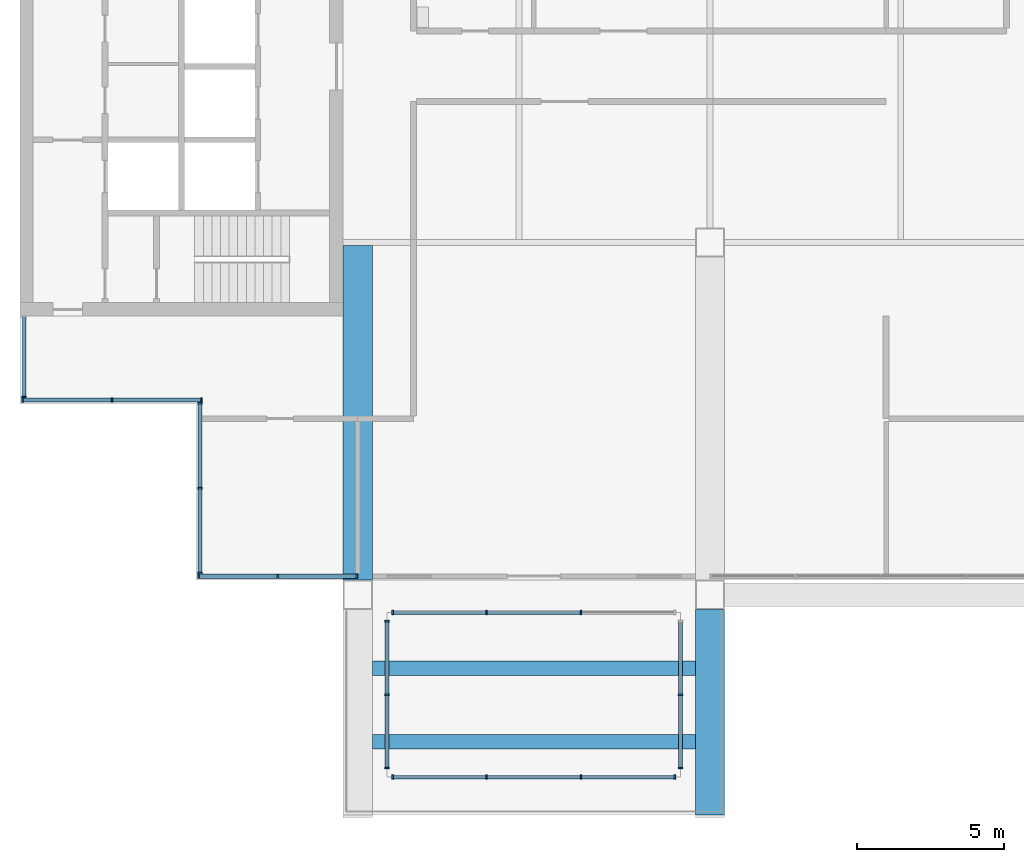
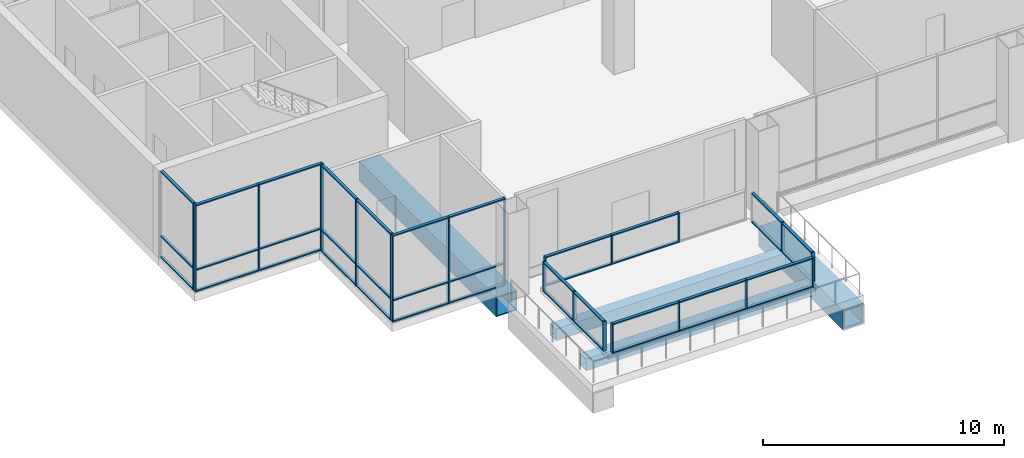
# One storey, part 2 of 15: 61 members, 4 beams, 8 elements without a shape of their own.
"""IFC4 building model written with IfcOpenShell, lengths in metres."""

from ifc_helpers import new_model, si_unit, direction, frame, origin, origin_2d, place, context, subcontext, project, spatial, rectangle, hollow_rectangle, extrude, material, material_profile, profile_set, type_object, element, aggregate, save


model = new_model("IFC4")

# Units and contexts
model_context = context("Model", 3, precision=1e-05, world=origin(), true_north=direction((0.0, 1.0)))
body_context = subcontext(model_context, "Body", "Model", "MODEL_VIEW")
ifc_project = project(units=[si_unit("LENGTHUNIT", "METRE"), si_unit("AREAUNIT", "SQUARE_METRE"), si_unit("VOLUMEUNIT", "CUBIC_METRE"), si_unit("PLANEANGLEUNIT", "RADIAN"), si_unit("MASSUNIT", "GRAM", prefix="KILO")], contexts=[model_context])

# Site, building, storey
site_placement = place(None, origin())
site = spatial("IfcSite", under=ifc_project, at=site_placement, CompositionType="ELEMENT")
building_placement = place(site_placement, origin())
building = spatial("IfcBuilding", under=site, at=building_placement, Name="Kitamizu Gate Tower and Museum", CompositionType="ELEMENT")
storey_placement = place(building_placement, frame((0.0, 0.0, 273.14990234375)))
storey = spatial("IfcBuildingStorey", under=building, at=storey_placement, Name="L74", CompositionType="ELEMENT", Elevation=273.14990234375)

# Curtain wall, members
ifc_material_1 = material(Name="Bronze anodised aluminium frame, tinted triple glazing", Category="aluminium")
curtain_wall_type_1 = type_object("IfcCurtainWallType", Name="CURTAIN WALL TYPE C SKY AMENITY", PredefinedType="NOTDEFINED", material=ifc_material_1)
curtain_wall_1_placement = place(storey_placement, origin())
curtain_wall_1 = element("IfcCurtainWall", 1, at=curtain_wall_1_placement, inside=storey, type_object=curtain_wall_type_1, Name="Curtain wall CW-C south L74", PredefinedType="NOTDEFINED")
ifc_material_2 = material(Name="Bronze anodised aluminium", Category="aluminium")
ifc_material_profile_1 = material_profile(ifc_material_2, rectangle(XDim=0.06005859375, YDim=0.14990234375, at=origin_2d()), Name="AL 60X150")
ifc_profile_set_1 = profile_set([ifc_material_profile_1], Name="Bronze anodised aluminium")
member_type_1 = type_object("IfcMemberType", Name="MULLION 60 X 150 TYPE C", PredefinedType="MULLION", material=ifc_profile_set_1)
member_1_placement = place(storey_placement, frame((18.590087890625, 12.635009765625, 0.0), z_axis=(0.0, 0.0, 1.0), x_axis=(1.0, 0.0, 0.0)))
member_1 = element("IfcMember", 2, at=member_1_placement, type_object=member_type_1, Name="CW-C mullion 1", PredefinedType="MULLION", context=body_context, shape_type="SweptSolid", body=[
    extrude(rectangle(XDim=0.06005859375, YDim=0.14990234375, at=origin_2d()), origin(), (0.0, 0.0, 1.0), 4.400146484375),
])
member_2_placement = place(storey_placement, frame((21.280029296875, 12.635009765625, 0.0), z_axis=(0.0, 0.0, 1.0), x_axis=(1.0, 0.0, 0.0)))
member_2 = element("IfcMember", 3, at=member_2_placement, type_object=member_type_1, Name="CW-C mullion 2", PredefinedType="MULLION", context=body_context, shape_type="SweptSolid", body=[
    extrude(rectangle(XDim=0.06005859375, YDim=0.14990234375, at=origin_2d()), origin(), (0.0, 0.0, 1.0), 4.400146484375),
])
member_3_placement = place(storey_placement, frame((23.969970703125, 12.635009765625, 0.0), z_axis=(0.0, 0.0, 1.0), x_axis=(1.0, 0.0, 0.0)))
member_3 = element("IfcMember", 4, at=member_3_placement, type_object=member_type_1, Name="CW-C mullion 3", PredefinedType="MULLION", context=body_context, shape_type="SweptSolid", body=[
    extrude(rectangle(XDim=0.06005859375, YDim=0.14990234375, at=origin_2d()), origin(), (0.0, 0.0, 1.0), 4.400146484375),
])

# Curtain wall, member
curtain_wall_2_placement = place(storey_placement, origin())
curtain_wall_2 = element("IfcCurtainWall", 5, at=curtain_wall_2_placement, inside=storey, type_object=curtain_wall_type_1, Name="Curtain wall CW-C west L74", PredefinedType="NOTDEFINED")
member_4_placement = place(storey_placement, frame((12.635009765625, 18.739990234375, 0.0), z_axis=(0.0, 0.0, 1.0), x_axis=(0.0, 1.0, 0.0)))
member_4 = element("IfcMember", 6, at=member_4_placement, type_object=member_type_1, Name="CW-C mullion 1", PredefinedType="MULLION", context=body_context, shape_type="SweptSolid", body=[
    extrude(rectangle(XDim=0.06005859375, YDim=0.14990234375, at=origin_2d()), origin(), (0.0, 0.0, 1.0), 4.400146484375),
])

# Curtain wall, members
curtain_wall_3_placement = place(storey_placement, origin())
curtain_wall_3 = element("IfcCurtainWall", 7, at=curtain_wall_3_placement, inside=storey, type_object=curtain_wall_type_1, Name="Curtain wall CW-C south L74", PredefinedType="NOTDEFINED")
member_5_placement = place(storey_placement, frame((12.590087890625, 18.635009765625, 0.0), z_axis=(0.0, 0.0, 1.0), x_axis=(1.0, 0.0, 0.0)))
member_5 = element("IfcMember", 8, at=member_5_placement, type_object=member_type_1, Name="CW-C mullion 1", PredefinedType="MULLION", context=body_context, shape_type="SweptSolid", body=[
    extrude(rectangle(XDim=0.06005859375, YDim=0.14990234375, at=origin_2d()), origin(), (0.0, 0.0, 1.0), 4.400146484375),
])
member_6_placement = place(storey_placement, frame((15.635009765625, 18.635009765625, 0.0), z_axis=(0.0, 0.0, 1.0), x_axis=(1.0, 0.0, 0.0)))
member_6 = element("IfcMember", 9, at=member_6_placement, type_object=member_type_1, Name="CW-C mullion 2", PredefinedType="MULLION", context=body_context, shape_type="SweptSolid", body=[
    extrude(rectangle(XDim=0.06005859375, YDim=0.14990234375, at=origin_2d()), origin(), (0.0, 0.0, 1.0), 4.400146484375),
])
member_7_placement = place(storey_placement, frame((18.679931640625, 18.635009765625, 0.0), z_axis=(0.0, 0.0, 1.0), x_axis=(1.0, 0.0, 0.0)))
member_7 = element("IfcMember", 10, at=member_7_placement, type_object=member_type_1, Name="CW-C mullion 3", PredefinedType="MULLION", context=body_context, shape_type="SweptSolid", body=[
    extrude(rectangle(XDim=0.06005859375, YDim=0.14990234375, at=origin_2d()), origin(), (0.0, 0.0, 1.0), 4.400146484375),
])

curtain_wall_4_placement = place(storey_placement, origin())
curtain_wall_4 = element("IfcCurtainWall", 11, at=curtain_wall_4_placement, inside=storey, type_object=curtain_wall_type_1, Name="Curtain wall CW-C west L74", PredefinedType="NOTDEFINED")
member_8_placement = place(storey_placement, frame((18.635009765625, 12.739990234375, 0.0), z_axis=(0.0, 0.0, 1.0), x_axis=(0.0, 1.0, 0.0)))
member_8 = element("IfcMember", 12, at=member_8_placement, type_object=member_type_1, Name="CW-C mullion 1", PredefinedType="MULLION", context=body_context, shape_type="SweptSolid", body=[
    extrude(rectangle(XDim=0.06005859375, YDim=0.14990234375, at=origin_2d()), origin(), (0.0, 0.0, 1.0), 4.400146484375),
])
member_9_placement = place(storey_placement, frame((18.635009765625, 15.635009765625, 0.0), z_axis=(0.0, 0.0, 1.0), x_axis=(0.0, 1.0, 0.0)))
member_9 = element("IfcMember", 13, at=member_9_placement, type_object=member_type_1, Name="CW-C mullion 2", PredefinedType="MULLION", context=body_context, shape_type="SweptSolid", body=[
    extrude(rectangle(XDim=0.06005859375, YDim=0.14990234375, at=origin_2d()), origin(), (0.0, 0.0, 1.0), 4.400146484375),
])
member_10_placement = place(storey_placement, frame((18.635009765625, 18.530029296875, 0.0), z_axis=(0.0, 0.0, 1.0), x_axis=(0.0, 1.0, 0.0)))
member_10 = element("IfcMember", 14, at=member_10_placement, type_object=member_type_1, Name="CW-C mullion 3", PredefinedType="MULLION", context=body_context, shape_type="SweptSolid", body=[
    extrude(rectangle(XDim=0.06005859375, YDim=0.14990234375, at=origin_2d()), origin(), (0.0, 0.0, 1.0), 4.400146484375),
])

curtain_wall_5_placement = place(storey_placement, origin())
curtain_wall_5 = element("IfcCurtainWall", 15, at=curtain_wall_5_placement, inside=storey, type_object=curtain_wall_type_1, Name="Curtain wall CW-C pool side S L74", PredefinedType="NOTDEFINED")
member_11_placement = place(storey_placement, frame((25.199951171875, 5.800048828125, 0.25), z_axis=(0.0, 0.0, 1.0), x_axis=(1.0, 0.0, 0.0)))
member_11 = element("IfcMember", 16, at=member_11_placement, type_object=member_type_1, Name="CW-C mullion 1", PredefinedType="MULLION", context=body_context, shape_type="SweptSolid", body=[
    extrude(rectangle(XDim=0.06005859375, YDim=0.14990234375, at=origin_2d()), origin(), (0.0, 0.0, 1.0), 1.5),
])
member_12_placement = place(storey_placement, frame((28.389892578125, 5.800048828125, 0.25), z_axis=(0.0, 0.0, 1.0), x_axis=(1.0, 0.0, 0.0)))
member_12 = element("IfcMember", 17, at=member_12_placement, type_object=member_type_1, Name="CW-C mullion 2", PredefinedType="MULLION", context=body_context, shape_type="SweptSolid", body=[
    extrude(rectangle(XDim=0.06005859375, YDim=0.14990234375, at=origin_2d()), origin(), (0.0, 0.0, 1.0), 1.5),
])
member_13_placement = place(storey_placement, frame((31.610107421875, 5.800048828125, 0.25), z_axis=(0.0, 0.0, 1.0), x_axis=(1.0, 0.0, 0.0)))
member_13 = element("IfcMember", 18, at=member_13_placement, type_object=member_type_1, Name="CW-C mullion 3", PredefinedType="MULLION", context=body_context, shape_type="SweptSolid", body=[
    extrude(rectangle(XDim=0.06005859375, YDim=0.14990234375, at=origin_2d()), origin(), (0.0, 0.0, 1.0), 1.5),
])
member_14_placement = place(storey_placement, frame((34.800048828125, 5.800048828125, 0.25), z_axis=(0.0, 0.0, 1.0), x_axis=(1.0, 0.0, 0.0)))
member_14 = element("IfcMember", 19, at=member_14_placement, type_object=member_type_1, Name="CW-C mullion 4", PredefinedType="MULLION", context=body_context, shape_type="SweptSolid", body=[
    extrude(rectangle(XDim=0.06005859375, YDim=0.14990234375, at=origin_2d()), origin(), (0.0, 0.0, 1.0), 1.5),
])

ifc_material_3 = material(Name="Bronze anodised aluminium frame, insulated panels", Category="aluminium")
curtain_wall_type_2 = type_object("IfcCurtainWallType", Name="CURTAIN WALL TYPE C SKY AMENITY INSULATED", PredefinedType="NOTDEFINED", material=ifc_material_3)
curtain_wall_6_placement = place(storey_placement, origin())
curtain_wall_6 = element("IfcCurtainWall", 20, at=curtain_wall_6_placement, inside=storey, type_object=curtain_wall_type_2, Name="Curtain wall CW-CI pool side N L74", PredefinedType="NOTDEFINED")
member_15_placement = place(storey_placement, frame((25.199951171875, 11.39990234375, 0.25), z_axis=(0.0, 0.0, 1.0), x_axis=(1.0, 0.0, 0.0)))
member_15 = element("IfcMember", 21, at=member_15_placement, type_object=member_type_1, Name="CW-CI mullion 1", PredefinedType="MULLION", context=body_context, shape_type="SweptSolid", body=[
    extrude(rectangle(XDim=0.06005859375, YDim=0.14990234375, at=origin_2d()), origin(), (0.0, 0.0, 1.0), 1.5),
])
member_16_placement = place(storey_placement, frame((28.389892578125, 11.39990234375, 0.25), z_axis=(0.0, 0.0, 1.0), x_axis=(1.0, 0.0, 0.0)))
member_16 = element("IfcMember", 22, at=member_16_placement, type_object=member_type_1, Name="CW-CI mullion 2", PredefinedType="MULLION", context=body_context, shape_type="SweptSolid", body=[
    extrude(rectangle(XDim=0.06005859375, YDim=0.14990234375, at=origin_2d()), origin(), (0.0, 0.0, 1.0), 1.5),
])
member_17_placement = place(storey_placement, frame((31.610107421875, 11.39990234375, 0.25), z_axis=(0.0, 0.0, 1.0), x_axis=(1.0, 0.0, 0.0)))
member_17 = element("IfcMember", 23, at=member_17_placement, type_object=member_type_1, Name="CW-CI mullion 3", PredefinedType="MULLION", context=body_context, shape_type="SweptSolid", body=[
    extrude(rectangle(XDim=0.06005859375, YDim=0.14990234375, at=origin_2d()), origin(), (0.0, 0.0, 1.0), 1.5),
])

curtain_wall_7_placement = place(storey_placement, origin())
curtain_wall_7 = element("IfcCurtainWall", 24, at=curtain_wall_7_placement, inside=storey, type_object=curtain_wall_type_1, Name="Curtain wall CW-C pool side W L74", PredefinedType="NOTDEFINED")
member_18_placement = place(storey_placement, frame((25.0, 6.10009765625, 0.25), z_axis=(0.0, 0.0, 1.0), x_axis=(0.0, 1.0, 0.0)))
member_18 = element("IfcMember", 25, at=member_18_placement, type_object=member_type_1, Name="CW-C mullion 1", PredefinedType="MULLION", context=body_context, shape_type="SweptSolid", body=[
    extrude(rectangle(XDim=0.06005859375, YDim=0.14990234375, at=origin_2d()), origin(), (0.0, 0.0, 1.0), 1.5),
])
member_19_placement = place(storey_placement, frame((25.0, 8.60009765625, 0.25), z_axis=(0.0, 0.0, 1.0), x_axis=(0.0, 1.0, 0.0)))
member_19 = element("IfcMember", 26, at=member_19_placement, type_object=member_type_1, Name="CW-C mullion 2", PredefinedType="MULLION", context=body_context, shape_type="SweptSolid", body=[
    extrude(rectangle(XDim=0.06005859375, YDim=0.14990234375, at=origin_2d()), origin(), (0.0, 0.0, 1.0), 1.5),
])
member_20_placement = place(storey_placement, frame((25.0, 11.10009765625, 0.25), z_axis=(0.0, 0.0, 1.0), x_axis=(0.0, 1.0, 0.0)))
member_20 = element("IfcMember", 27, at=member_20_placement, type_object=member_type_1, Name="CW-C mullion 3", PredefinedType="MULLION", context=body_context, shape_type="SweptSolid", body=[
    extrude(rectangle(XDim=0.06005859375, YDim=0.14990234375, at=origin_2d()), origin(), (0.0, 0.0, 1.0), 1.5),
])

curtain_wall_8_placement = place(storey_placement, origin())
curtain_wall_8 = element("IfcCurtainWall", 28, at=curtain_wall_8_placement, inside=storey, type_object=curtain_wall_type_1, Name="Curtain wall CW-C pool side E L74", PredefinedType="NOTDEFINED")
member_21_placement = place(storey_placement, frame((35.0, 6.10009765625, 0.25), z_axis=(0.0, 0.0, 1.0), x_axis=(0.0, 1.0, 0.0)))
member_21 = element("IfcMember", 29, at=member_21_placement, type_object=member_type_1, Name="CW-C mullion 1", PredefinedType="MULLION", context=body_context, shape_type="SweptSolid", body=[
    extrude(rectangle(XDim=0.06005859375, YDim=0.14990234375, at=origin_2d()), origin(), (0.0, 0.0, 1.0), 1.5),
])
member_22_placement = place(storey_placement, frame((35.0, 8.60009765625, 0.25), z_axis=(0.0, 0.0, 1.0), x_axis=(0.0, 1.0, 0.0)))
member_22 = element("IfcMember", 30, at=member_22_placement, type_object=member_type_1, Name="CW-C mullion 2", PredefinedType="MULLION", context=body_context, shape_type="SweptSolid", body=[
    extrude(rectangle(XDim=0.06005859375, YDim=0.14990234375, at=origin_2d()), origin(), (0.0, 0.0, 1.0), 1.5),
])

# Beams
ifc_material_4 = material(Name="Steel SM490A bronze coated", Category="steel")
ifc_material_profile_2 = material_profile(ifc_material_4, hollow_rectangle(XDim=1.0, YDim=1.0, WallThickness=0.080078125, at=origin_2d()), Name="BOX 1000x1000x80")
ifc_profile_set_2 = profile_set([ifc_material_profile_2], Name="Steel SM490A bronze coated")
beam_type_1 = type_object("IfcBeamType", Name="Pool cantilever girder PG3 BOX 1000x1000x80", PredefinedType="BEAM", material=ifc_profile_set_2)
beam_1_placement = place(storey_placement, frame((36.0, 4.5, -0.89990234375), z_axis=(0.0, 1.0, 0.0), x_axis=(-1.0, 0.0, 0.0)))
element("IfcBeam", 31, at=beam_1_placement, inside=storey, type_object=beam_type_1, Name="Pool girder E tip L74", PredefinedType="BEAM", context=body_context, shape_type="SweptSolid", body=[
    extrude(hollow_rectangle(XDim=1.0, YDim=1.0, WallThickness=0.080078125, at=origin_2d()), origin(), (0.0, 0.0, 1.0), 7.0),
])
ifc_material_5 = material(Name="Steel SM490A bronze coated", Category="steel")
ifc_material_profile_3 = material_profile(ifc_material_5, hollow_rectangle(XDim=0.5, YDim=0.60009765625, WallThickness=0.030029296875, at=origin_2d()), Name="BOX 500x600x30")
ifc_profile_set_3 = profile_set([ifc_material_profile_3], Name="Steel SM490A bronze coated")
beam_type_2 = type_object("IfcBeamType", Name="Pool cross beam PG2 BOX 500x600x30", PredefinedType="BEAM", material=ifc_profile_set_3)
for number, where, z_axis, x_axis, name in (
    (32, (24.5, 7.0, -0.699951171875), (1.0, 0.0, 0.0), (0.0, 1.0, 0.0), "Pool cross beam 1 L74"),
    (33, (24.5, 9.5, -0.699951171875), (1.0, 0.0, 0.0), (0.0, 1.0, 0.0), "Pool cross beam 2 L74"),
):
    element("IfcBeam", number, at=place(storey_placement, frame(where, z_axis=z_axis, x_axis=x_axis)), inside=storey, type_object=beam_type_2, Name=name, PredefinedType="BEAM", context=body_context, shape_type="SweptSolid", body=[
        extrude(hollow_rectangle(XDim=0.5, YDim=0.60009765625, WallThickness=0.030029296875, at=origin_2d()), origin(), (0.0, 0.0, 1.0), 11.0),
    ])
ifc_material_6 = material(Name="Steel SM490A bronze coated", Category="steel")
ifc_material_profile_4 = material_profile(ifc_material_6, hollow_rectangle(XDim=1.0, YDim=1.0, WallThickness=0.050048828125, at=origin_2d()), Name="BOX 1000x1000x50")
ifc_profile_set_4 = profile_set([ifc_material_profile_4], Name="Steel SM490A bronze coated")
beam_type_3 = type_object("IfcBeamType", Name="Pool girder PG1 BOX 1000x1000x50", PredefinedType="BEAM", material=ifc_profile_set_4)
beam_2_placement = place(storey_placement, frame((24.0, 12.5, -0.89990234375), z_axis=(0.0, 1.0, 0.0), x_axis=(-1.0, 0.0, 0.0)))
element("IfcBeam", 34, at=beam_2_placement, inside=storey, type_object=beam_type_3, Name="Pool girder W back-span L74", PredefinedType="BEAM", context=body_context, shape_type="SweptSolid", body=[
    extrude(hollow_rectangle(XDim=1.0, YDim=1.0, WallThickness=0.050048828125, at=origin_2d()), origin(), (0.0, 0.0, 1.0), 11.39990234375),
])

# Member
ifc_material_7 = material(Name="Bronze anodised aluminium", Category="aluminium")
ifc_material_profile_5 = material_profile(ifc_material_7, rectangle(XDim=0.139892578125, YDim=0.06005859375, at=origin_2d()), Name="AL 60X140")
ifc_profile_set_5 = profile_set([ifc_material_profile_5], Name="Bronze anodised aluminium")
member_type_2 = type_object("IfcMemberType", Name="TRANSOM 60 X 140 TYPE C", PredefinedType="USERDEFINED", material=ifc_profile_set_5)
member_23_placement = place(storey_placement, frame((18.6201171875, 12.635009765625, 0.030029296875), z_axis=(1.0, 0.0, 0.0), x_axis=(0.0, 1.0, 0.0)))
member_23 = element("IfcMember", 35, at=member_23_placement, type_object=member_type_2, Name="CW-C transom 1.1", ObjectType="TRANSOM", PredefinedType="USERDEFINED", context=body_context, shape_type="SweptSolid", body=[
    extrude(rectangle(XDim=0.139892578125, YDim=0.06005859375, at=origin_2d()), origin(), (0.0, 0.0, 1.0), 2.6298828125),
])

member_24_placement = place(storey_placement, frame((18.6201171875, 12.635009765625, 1.10009765625), z_axis=(1.0, 0.0, 0.0), x_axis=(0.0, 1.0, 0.0)))
member_24 = element("IfcMember", 36, at=member_24_placement, type_object=member_type_2, Name="CW-C transom 1.2", ObjectType="TRANSOM", PredefinedType="USERDEFINED", context=body_context, shape_type="SweptSolid", body=[
    extrude(rectangle(XDim=0.139892578125, YDim=0.06005859375, at=origin_2d()), origin(), (0.0, 0.0, 1.0), 2.6298828125),
])

member_25_placement = place(storey_placement, frame((18.6201171875, 12.635009765625, 4.3701171875), z_axis=(1.0, 0.0, 0.0), x_axis=(0.0, 1.0, 0.0)))
member_25 = element("IfcMember", 37, at=member_25_placement, type_object=member_type_2, Name="CW-C transom 1.3", ObjectType="TRANSOM", PredefinedType="USERDEFINED", context=body_context, shape_type="SweptSolid", body=[
    extrude(rectangle(XDim=0.139892578125, YDim=0.06005859375, at=origin_2d()), origin(), (0.0, 0.0, 1.0), 2.6298828125),
])

member_26_placement = place(storey_placement, frame((21.31005859375, 12.635009765625, 0.030029296875), z_axis=(1.0, 0.0, 0.0), x_axis=(0.0, 1.0, 0.0)))
member_26 = element("IfcMember", 38, at=member_26_placement, type_object=member_type_2, Name="CW-C transom 2.1", ObjectType="TRANSOM", PredefinedType="USERDEFINED", context=body_context, shape_type="SweptSolid", body=[
    extrude(rectangle(XDim=0.139892578125, YDim=0.06005859375, at=origin_2d()), origin(), (0.0, 0.0, 1.0), 2.6298828125),
])

member_27_placement = place(storey_placement, frame((21.31005859375, 12.635009765625, 1.10009765625), z_axis=(1.0, 0.0, 0.0), x_axis=(0.0, 1.0, 0.0)))
member_27 = element("IfcMember", 39, at=member_27_placement, type_object=member_type_2, Name="CW-C transom 2.2", ObjectType="TRANSOM", PredefinedType="USERDEFINED", context=body_context, shape_type="SweptSolid", body=[
    extrude(rectangle(XDim=0.139892578125, YDim=0.06005859375, at=origin_2d()), origin(), (0.0, 0.0, 1.0), 2.6298828125),
])

member_28_placement = place(storey_placement, frame((21.31005859375, 12.635009765625, 4.3701171875), z_axis=(1.0, 0.0, 0.0), x_axis=(0.0, 1.0, 0.0)))
member_28 = element("IfcMember", 40, at=member_28_placement, type_object=member_type_2, Name="CW-C transom 2.3", ObjectType="TRANSOM", PredefinedType="USERDEFINED", context=body_context, shape_type="SweptSolid", body=[
    extrude(rectangle(XDim=0.139892578125, YDim=0.06005859375, at=origin_2d()), origin(), (0.0, 0.0, 1.0), 2.6298828125),
])

aggregate(curtain_wall_1, [member_1, member_2, member_3, member_23, member_24, member_25, member_26, member_27, member_28])

member_29_placement = place(storey_placement, frame((12.635009765625, 18.77001953125, 0.030029296875), z_axis=(0.0, 1.0, 0.0), x_axis=(-1.0, 0.0, 0.0)))
member_29 = element("IfcMember", 41, at=member_29_placement, type_object=member_type_2, Name="CW-C transom 1.1", ObjectType="TRANSOM", PredefinedType="USERDEFINED", context=body_context, shape_type="SweptSolid", body=[
    extrude(rectangle(XDim=0.139892578125, YDim=0.06005859375, at=origin_2d()), origin(), (0.0, 0.0, 1.0), 2.669921875),
])

member_30_placement = place(storey_placement, frame((12.635009765625, 18.77001953125, 1.10009765625), z_axis=(0.0, 1.0, 0.0), x_axis=(-1.0, 0.0, 0.0)))
member_30 = element("IfcMember", 42, at=member_30_placement, type_object=member_type_2, Name="CW-C transom 1.2", ObjectType="TRANSOM", PredefinedType="USERDEFINED", context=body_context, shape_type="SweptSolid", body=[
    extrude(rectangle(XDim=0.139892578125, YDim=0.06005859375, at=origin_2d()), origin(), (0.0, 0.0, 1.0), 2.669921875),
])

member_31_placement = place(storey_placement, frame((12.635009765625, 18.77001953125, 4.3701171875), z_axis=(0.0, 1.0, 0.0), x_axis=(-1.0, 0.0, 0.0)))
member_31 = element("IfcMember", 43, at=member_31_placement, type_object=member_type_2, Name="CW-C transom 1.3", ObjectType="TRANSOM", PredefinedType="USERDEFINED", context=body_context, shape_type="SweptSolid", body=[
    extrude(rectangle(XDim=0.139892578125, YDim=0.06005859375, at=origin_2d()), origin(), (0.0, 0.0, 1.0), 2.669921875),
])

aggregate(curtain_wall_2, [member_4, member_29, member_30, member_31])

member_32_placement = place(storey_placement, frame((12.6201171875, 18.635009765625, 0.030029296875), z_axis=(1.0, 0.0, 0.0), x_axis=(0.0, 1.0, 0.0)))
member_32 = element("IfcMember", 44, at=member_32_placement, type_object=member_type_2, Name="CW-C transom 1.1", ObjectType="TRANSOM", PredefinedType="USERDEFINED", context=body_context, shape_type="SweptSolid", body=[
    extrude(rectangle(XDim=0.139892578125, YDim=0.06005859375, at=origin_2d()), origin(), (0.0, 0.0, 1.0), 2.98486328125),
])

member_33_placement = place(storey_placement, frame((12.6201171875, 18.635009765625, 1.10009765625), z_axis=(1.0, 0.0, 0.0), x_axis=(0.0, 1.0, 0.0)))
member_33 = element("IfcMember", 45, at=member_33_placement, type_object=member_type_2, Name="CW-C transom 1.2", ObjectType="TRANSOM", PredefinedType="USERDEFINED", context=body_context, shape_type="SweptSolid", body=[
    extrude(rectangle(XDim=0.139892578125, YDim=0.06005859375, at=origin_2d()), origin(), (0.0, 0.0, 1.0), 2.98486328125),
])

member_34_placement = place(storey_placement, frame((12.6201171875, 18.635009765625, 4.3701171875), z_axis=(1.0, 0.0, 0.0), x_axis=(0.0, 1.0, 0.0)))
member_34 = element("IfcMember", 46, at=member_34_placement, type_object=member_type_2, Name="CW-C transom 1.3", ObjectType="TRANSOM", PredefinedType="USERDEFINED", context=body_context, shape_type="SweptSolid", body=[
    extrude(rectangle(XDim=0.139892578125, YDim=0.06005859375, at=origin_2d()), origin(), (0.0, 0.0, 1.0), 2.98486328125),
])

member_35_placement = place(storey_placement, frame((15.6650390625, 18.635009765625, 0.030029296875), z_axis=(1.0, 0.0, 0.0), x_axis=(0.0, 1.0, 0.0)))
member_35 = element("IfcMember", 47, at=member_35_placement, type_object=member_type_2, Name="CW-C transom 2.1", ObjectType="TRANSOM", PredefinedType="USERDEFINED", context=body_context, shape_type="SweptSolid", body=[
    extrude(rectangle(XDim=0.139892578125, YDim=0.06005859375, at=origin_2d()), origin(), (0.0, 0.0, 1.0), 2.98486328125),
])

member_36_placement = place(storey_placement, frame((15.6650390625, 18.635009765625, 1.10009765625), z_axis=(1.0, 0.0, 0.0), x_axis=(0.0, 1.0, 0.0)))
member_36 = element("IfcMember", 48, at=member_36_placement, type_object=member_type_2, Name="CW-C transom 2.2", ObjectType="TRANSOM", PredefinedType="USERDEFINED", context=body_context, shape_type="SweptSolid", body=[
    extrude(rectangle(XDim=0.139892578125, YDim=0.06005859375, at=origin_2d()), origin(), (0.0, 0.0, 1.0), 2.98486328125),
])

member_37_placement = place(storey_placement, frame((15.6650390625, 18.635009765625, 4.3701171875), z_axis=(1.0, 0.0, 0.0), x_axis=(0.0, 1.0, 0.0)))
member_37 = element("IfcMember", 49, at=member_37_placement, type_object=member_type_2, Name="CW-C transom 2.3", ObjectType="TRANSOM", PredefinedType="USERDEFINED", context=body_context, shape_type="SweptSolid", body=[
    extrude(rectangle(XDim=0.139892578125, YDim=0.06005859375, at=origin_2d()), origin(), (0.0, 0.0, 1.0), 2.98486328125),
])

aggregate(curtain_wall_3, [member_5, member_6, member_7, member_32, member_33, member_34, member_35, member_36, member_37])

member_38_placement = place(storey_placement, frame((18.635009765625, 12.77001953125, 0.030029296875), z_axis=(0.0, 1.0, 0.0), x_axis=(-1.0, 0.0, 0.0)))
member_38 = element("IfcMember", 50, at=member_38_placement, type_object=member_type_2, Name="CW-C transom 1.1", ObjectType="TRANSOM", PredefinedType="USERDEFINED", context=body_context, shape_type="SweptSolid", body=[
    extrude(rectangle(XDim=0.139892578125, YDim=0.06005859375, at=origin_2d()), origin(), (0.0, 0.0, 1.0), 2.8349609375),
])

member_39_placement = place(storey_placement, frame((18.635009765625, 12.77001953125, 1.10009765625), z_axis=(0.0, 1.0, 0.0), x_axis=(-1.0, 0.0, 0.0)))
member_39 = element("IfcMember", 51, at=member_39_placement, type_object=member_type_2, Name="CW-C transom 1.2", ObjectType="TRANSOM", PredefinedType="USERDEFINED", context=body_context, shape_type="SweptSolid", body=[
    extrude(rectangle(XDim=0.139892578125, YDim=0.06005859375, at=origin_2d()), origin(), (0.0, 0.0, 1.0), 2.8349609375),
])

member_40_placement = place(storey_placement, frame((18.635009765625, 12.77001953125, 4.3701171875), z_axis=(0.0, 1.0, 0.0), x_axis=(-1.0, 0.0, 0.0)))
member_40 = element("IfcMember", 52, at=member_40_placement, type_object=member_type_2, Name="CW-C transom 1.3", ObjectType="TRANSOM", PredefinedType="USERDEFINED", context=body_context, shape_type="SweptSolid", body=[
    extrude(rectangle(XDim=0.139892578125, YDim=0.06005859375, at=origin_2d()), origin(), (0.0, 0.0, 1.0), 2.8349609375),
])

member_41_placement = place(storey_placement, frame((18.635009765625, 15.6650390625, 0.030029296875), z_axis=(0.0, 1.0, 0.0), x_axis=(-1.0, 0.0, 0.0)))
member_41 = element("IfcMember", 53, at=member_41_placement, type_object=member_type_2, Name="CW-C transom 2.1", ObjectType="TRANSOM", PredefinedType="USERDEFINED", context=body_context, shape_type="SweptSolid", body=[
    extrude(rectangle(XDim=0.139892578125, YDim=0.06005859375, at=origin_2d()), origin(), (0.0, 0.0, 1.0), 2.8349609375),
])

member_42_placement = place(storey_placement, frame((18.635009765625, 15.6650390625, 1.10009765625), z_axis=(0.0, 1.0, 0.0), x_axis=(-1.0, 0.0, 0.0)))
member_42 = element("IfcMember", 54, at=member_42_placement, type_object=member_type_2, Name="CW-C transom 2.2", ObjectType="TRANSOM", PredefinedType="USERDEFINED", context=body_context, shape_type="SweptSolid", body=[
    extrude(rectangle(XDim=0.139892578125, YDim=0.06005859375, at=origin_2d()), origin(), (0.0, 0.0, 1.0), 2.8349609375),
])

member_43_placement = place(storey_placement, frame((18.635009765625, 15.6650390625, 4.3701171875), z_axis=(0.0, 1.0, 0.0), x_axis=(-1.0, 0.0, 0.0)))
member_43 = element("IfcMember", 55, at=member_43_placement, type_object=member_type_2, Name="CW-C transom 2.3", ObjectType="TRANSOM", PredefinedType="USERDEFINED", context=body_context, shape_type="SweptSolid", body=[
    extrude(rectangle(XDim=0.139892578125, YDim=0.06005859375, at=origin_2d()), origin(), (0.0, 0.0, 1.0), 2.8349609375),
])

aggregate(curtain_wall_4, [member_8, member_9, member_10, member_38, member_39, member_40, member_41, member_42, member_43])

member_44_placement = place(storey_placement, frame((25.22998046875, 5.800048828125, 0.280029296875), z_axis=(1.0, 0.0, 0.0), x_axis=(0.0, 1.0, 0.0)))
member_44 = element("IfcMember", 56, at=member_44_placement, type_object=member_type_2, Name="CW-C transom 1.1", ObjectType="TRANSOM", PredefinedType="USERDEFINED", context=body_context, shape_type="SweptSolid", body=[
    extrude(rectangle(XDim=0.139892578125, YDim=0.06005859375, at=origin_2d()), origin(), (0.0, 0.0, 1.0), 3.130126953125),
])

member_45_placement = place(storey_placement, frame((25.22998046875, 5.800048828125, 1.72021484375), z_axis=(1.0, 0.0, 0.0), x_axis=(0.0, 1.0, 0.0)))
member_45 = element("IfcMember", 57, at=member_45_placement, type_object=member_type_2, Name="CW-C transom 1.2", ObjectType="TRANSOM", PredefinedType="USERDEFINED", context=body_context, shape_type="SweptSolid", body=[
    extrude(rectangle(XDim=0.139892578125, YDim=0.06005859375, at=origin_2d()), origin(), (0.0, 0.0, 1.0), 3.130126953125),
])

member_46_placement = place(storey_placement, frame((28.419921875, 5.800048828125, 0.280029296875), z_axis=(1.0, 0.0, 0.0), x_axis=(0.0, 1.0, 0.0)))
member_46 = element("IfcMember", 58, at=member_46_placement, type_object=member_type_2, Name="CW-C transom 2.1", ObjectType="TRANSOM", PredefinedType="USERDEFINED", context=body_context, shape_type="SweptSolid", body=[
    extrude(rectangle(XDim=0.139892578125, YDim=0.06005859375, at=origin_2d()), origin(), (0.0, 0.0, 1.0), 3.16015625),
])

member_47_placement = place(storey_placement, frame((28.419921875, 5.800048828125, 1.72021484375), z_axis=(1.0, 0.0, 0.0), x_axis=(0.0, 1.0, 0.0)))
member_47 = element("IfcMember", 59, at=member_47_placement, type_object=member_type_2, Name="CW-C transom 2.2", ObjectType="TRANSOM", PredefinedType="USERDEFINED", context=body_context, shape_type="SweptSolid", body=[
    extrude(rectangle(XDim=0.139892578125, YDim=0.06005859375, at=origin_2d()), origin(), (0.0, 0.0, 1.0), 3.16015625),
])

member_48_placement = place(storey_placement, frame((31.639892578125, 5.800048828125, 0.280029296875), z_axis=(1.0, 0.0, 0.0), x_axis=(0.0, 1.0, 0.0)))
member_48 = element("IfcMember", 60, at=member_48_placement, type_object=member_type_2, Name="CW-C transom 3.1", ObjectType="TRANSOM", PredefinedType="USERDEFINED", context=body_context, shape_type="SweptSolid", body=[
    extrude(rectangle(XDim=0.139892578125, YDim=0.06005859375, at=origin_2d()), origin(), (0.0, 0.0, 1.0), 3.130126953125),
])

member_49_placement = place(storey_placement, frame((31.639892578125, 5.800048828125, 1.72021484375), z_axis=(1.0, 0.0, 0.0), x_axis=(0.0, 1.0, 0.0)))
member_49 = element("IfcMember", 61, at=member_49_placement, type_object=member_type_2, Name="CW-C transom 3.2", ObjectType="TRANSOM", PredefinedType="USERDEFINED", context=body_context, shape_type="SweptSolid", body=[
    extrude(rectangle(XDim=0.139892578125, YDim=0.06005859375, at=origin_2d()), origin(), (0.0, 0.0, 1.0), 3.130126953125),
])

aggregate(curtain_wall_5, [member_11, member_12, member_13, member_14, member_44, member_45, member_46, member_47, member_48, member_49])

member_50_placement = place(storey_placement, frame((25.22998046875, 11.39990234375, 0.280029296875), z_axis=(1.0, 0.0, 0.0), x_axis=(0.0, 1.0, 0.0)))
member_50 = element("IfcMember", 62, at=member_50_placement, type_object=member_type_2, Name="CW-CI transom 1.1", ObjectType="TRANSOM", PredefinedType="USERDEFINED", context=body_context, shape_type="SweptSolid", body=[
    extrude(rectangle(XDim=0.139892578125, YDim=0.06005859375, at=origin_2d()), origin(), (0.0, 0.0, 1.0), 3.130126953125),
])

member_51_placement = place(storey_placement, frame((25.22998046875, 11.39990234375, 1.72021484375), z_axis=(1.0, 0.0, 0.0), x_axis=(0.0, 1.0, 0.0)))
member_51 = element("IfcMember", 63, at=member_51_placement, type_object=member_type_2, Name="CW-CI transom 1.2", ObjectType="TRANSOM", PredefinedType="USERDEFINED", context=body_context, shape_type="SweptSolid", body=[
    extrude(rectangle(XDim=0.139892578125, YDim=0.06005859375, at=origin_2d()), origin(), (0.0, 0.0, 1.0), 3.130126953125),
])

member_52_placement = place(storey_placement, frame((28.419921875, 11.39990234375, 0.280029296875), z_axis=(1.0, 0.0, 0.0), x_axis=(0.0, 1.0, 0.0)))
member_52 = element("IfcMember", 64, at=member_52_placement, type_object=member_type_2, Name="CW-CI transom 2.1", ObjectType="TRANSOM", PredefinedType="USERDEFINED", context=body_context, shape_type="SweptSolid", body=[
    extrude(rectangle(XDim=0.139892578125, YDim=0.06005859375, at=origin_2d()), origin(), (0.0, 0.0, 1.0), 3.16015625),
])

member_53_placement = place(storey_placement, frame((28.419921875, 11.39990234375, 1.72021484375), z_axis=(1.0, 0.0, 0.0), x_axis=(0.0, 1.0, 0.0)))
member_53 = element("IfcMember", 65, at=member_53_placement, type_object=member_type_2, Name="CW-CI transom 2.2", ObjectType="TRANSOM", PredefinedType="USERDEFINED", context=body_context, shape_type="SweptSolid", body=[
    extrude(rectangle(XDim=0.139892578125, YDim=0.06005859375, at=origin_2d()), origin(), (0.0, 0.0, 1.0), 3.16015625),
])

aggregate(curtain_wall_6, [member_15, member_16, member_17, member_50, member_51, member_52, member_53])

member_54_placement = place(storey_placement, frame((25.0, 6.1298828125, 0.280029296875), z_axis=(0.0, 1.0, 0.0), x_axis=(-1.0, 0.0, 0.0)))
member_54 = element("IfcMember", 66, at=member_54_placement, type_object=member_type_2, Name="CW-C transom 1.1", ObjectType="TRANSOM", PredefinedType="USERDEFINED", context=body_context, shape_type="SweptSolid", body=[
    extrude(rectangle(XDim=0.139892578125, YDim=0.06005859375, at=origin_2d()), origin(), (0.0, 0.0, 1.0), 2.440185546875),
])

member_55_placement = place(storey_placement, frame((25.0, 6.1298828125, 1.72021484375), z_axis=(0.0, 1.0, 0.0), x_axis=(-1.0, 0.0, 0.0)))
member_55 = element("IfcMember", 67, at=member_55_placement, type_object=member_type_2, Name="CW-C transom 1.2", ObjectType="TRANSOM", PredefinedType="USERDEFINED", context=body_context, shape_type="SweptSolid", body=[
    extrude(rectangle(XDim=0.139892578125, YDim=0.06005859375, at=origin_2d()), origin(), (0.0, 0.0, 1.0), 2.440185546875),
])

member_56_placement = place(storey_placement, frame((25.0, 8.6298828125, 0.280029296875), z_axis=(0.0, 1.0, 0.0), x_axis=(-1.0, 0.0, 0.0)))
member_56 = element("IfcMember", 68, at=member_56_placement, type_object=member_type_2, Name="CW-C transom 2.1", ObjectType="TRANSOM", PredefinedType="USERDEFINED", context=body_context, shape_type="SweptSolid", body=[
    extrude(rectangle(XDim=0.139892578125, YDim=0.06005859375, at=origin_2d()), origin(), (0.0, 0.0, 1.0), 2.440185546875),
])

member_57_placement = place(storey_placement, frame((25.0, 8.6298828125, 1.72021484375), z_axis=(0.0, 1.0, 0.0), x_axis=(-1.0, 0.0, 0.0)))
member_57 = element("IfcMember", 69, at=member_57_placement, type_object=member_type_2, Name="CW-C transom 2.2", ObjectType="TRANSOM", PredefinedType="USERDEFINED", context=body_context, shape_type="SweptSolid", body=[
    extrude(rectangle(XDim=0.139892578125, YDim=0.06005859375, at=origin_2d()), origin(), (0.0, 0.0, 1.0), 2.440185546875),
])

aggregate(curtain_wall_7, [member_18, member_19, member_20, member_54, member_55, member_56, member_57])

member_58_placement = place(storey_placement, frame((35.0, 6.1298828125, 0.280029296875), z_axis=(0.0, 1.0, 0.0), x_axis=(-1.0, 0.0, 0.0)))
member_58 = element("IfcMember", 70, at=member_58_placement, type_object=member_type_2, Name="CW-C transom 1.1", ObjectType="TRANSOM", PredefinedType="USERDEFINED", context=body_context, shape_type="SweptSolid", body=[
    extrude(rectangle(XDim=0.139892578125, YDim=0.06005859375, at=origin_2d()), origin(), (0.0, 0.0, 1.0), 2.440185546875),
])

member_59_placement = place(storey_placement, frame((35.0, 6.1298828125, 1.72021484375), z_axis=(0.0, 1.0, 0.0), x_axis=(-1.0, 0.0, 0.0)))
member_59 = element("IfcMember", 71, at=member_59_placement, type_object=member_type_2, Name="CW-C transom 1.2", ObjectType="TRANSOM", PredefinedType="USERDEFINED", context=body_context, shape_type="SweptSolid", body=[
    extrude(rectangle(XDim=0.139892578125, YDim=0.06005859375, at=origin_2d()), origin(), (0.0, 0.0, 1.0), 2.440185546875),
])

member_60_placement = place(storey_placement, frame((35.0, 8.6298828125, 0.280029296875), z_axis=(0.0, 1.0, 0.0), x_axis=(-1.0, 0.0, 0.0)))
member_60 = element("IfcMember", 72, at=member_60_placement, type_object=member_type_2, Name="CW-C transom 2.1", ObjectType="TRANSOM", PredefinedType="USERDEFINED", context=body_context, shape_type="SweptSolid", body=[
    extrude(rectangle(XDim=0.139892578125, YDim=0.06005859375, at=origin_2d()), origin(), (0.0, 0.0, 1.0), 2.440185546875),
])

member_61_placement = place(storey_placement, frame((35.0, 8.6298828125, 1.72021484375), z_axis=(0.0, 1.0, 0.0), x_axis=(-1.0, 0.0, 0.0)))
member_61 = element("IfcMember", 73, at=member_61_placement, type_object=member_type_2, Name="CW-C transom 2.2", ObjectType="TRANSOM", PredefinedType="USERDEFINED", context=body_context, shape_type="SweptSolid", body=[
    extrude(rectangle(XDim=0.139892578125, YDim=0.06005859375, at=origin_2d()), origin(), (0.0, 0.0, 1.0), 2.440185546875),
])

aggregate(curtain_wall_8, [member_21, member_22, member_58, member_59, member_60, member_61])

save(model, "model.ifc")
